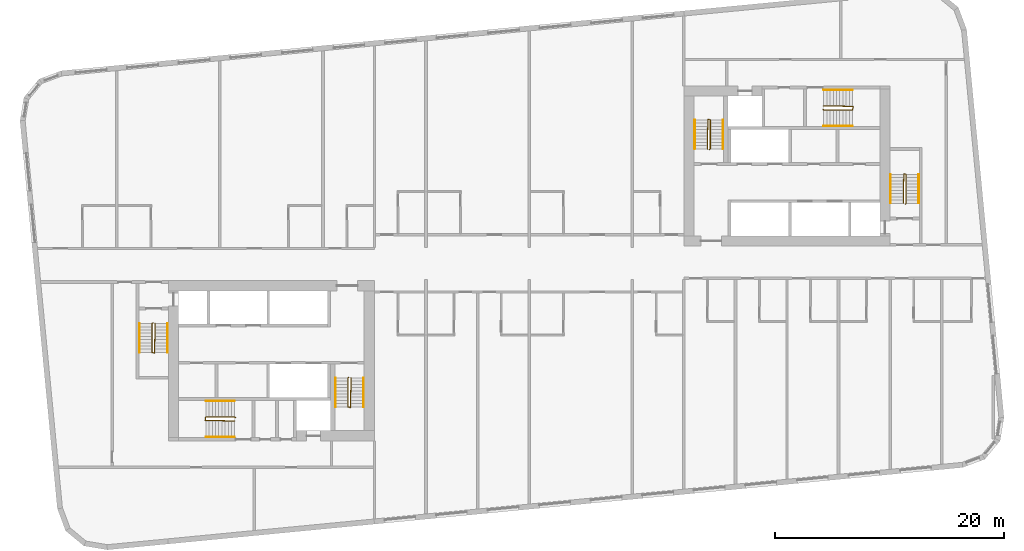
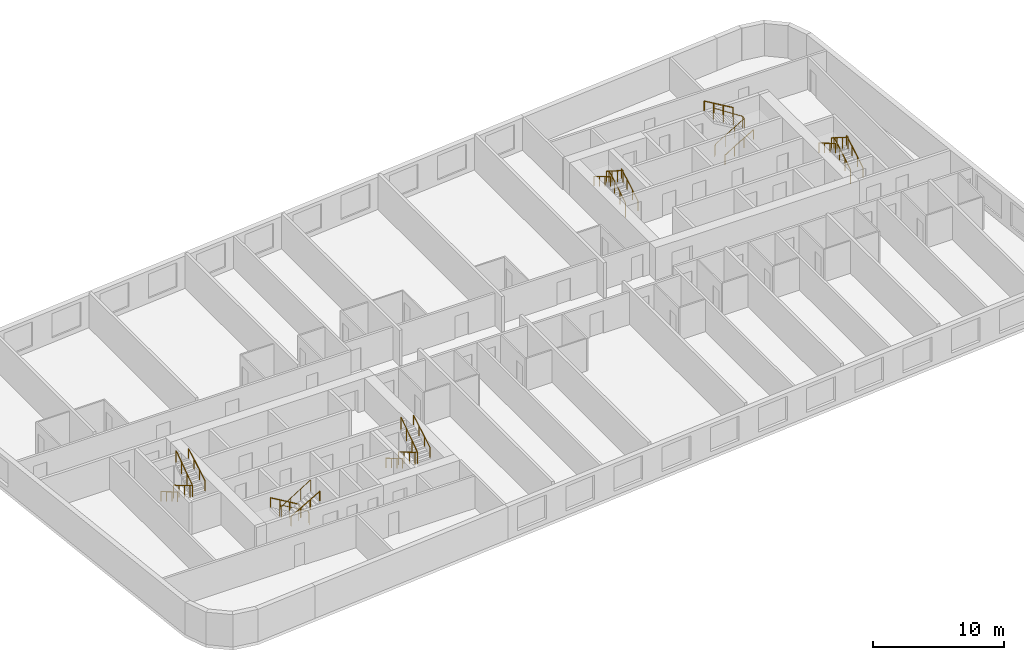
# One storey, part 12 of 12: 18 railings.
"""IFC4 building model written with IfcOpenShell, lengths in metres."""

from ifc_helpers import new_model, si_unit, direction, frame, origin, origin_2d, place, context, subcontext, project, spatial, circle, extrude, material, type_object, element, save


model = new_model("IFC4")

# Units and contexts
model_context = context("Model", 3, precision=1e-05, world=origin(), true_north=direction((0.0, 1.0)))
body_context = subcontext(model_context, "Body", "Model", "MODEL_VIEW")
ifc_project = project(units=[si_unit("LENGTHUNIT", "METRE"), si_unit("AREAUNIT", "SQUARE_METRE"), si_unit("VOLUMEUNIT", "CUBIC_METRE"), si_unit("PLANEANGLEUNIT", "RADIAN"), si_unit("MASSUNIT", "GRAM", prefix="KILO")], contexts=[model_context])

# Site, building, storey
site_placement = place(None, origin())
site = spatial("IfcSite", under=ifc_project, at=site_placement, CompositionType="ELEMENT")
building_placement = place(site_placement, origin())
building = spatial("IfcBuilding", under=site, at=building_placement, Name="Kajstack Hotel Tower", CompositionType="ELEMENT")
storey_placement = place(building_placement, frame((0.0, 0.0, 190.0)))
storey = spatial("IfcBuildingStorey", under=building, at=storey_placement, Name="L45", CompositionType="ELEMENT", Elevation=190.0)

# Railings
ifc_material = material(Name="Steel S355J2", Category="steel")
railing_type_1 = type_object("IfcRailingType", Name="Stair guard 1100", PredefinedType="GUARDRAIL", material=ifc_material)
railing_1_placement = place(storey_placement, frame((-32.85009765625, -5.199951171875, 0.0)))
element("IfcRailing", 1, at=railing_1_placement, inside=storey, type_object=railing_type_1, Name="L45 W1 stair guard 1", PredefinedType="GUARDRAIL", context=body_context, shape_type="SweptSolid", body=[
    extrude(circle(Radius=0.02392578125, at=origin_2d()), frame((0.0, 0.0, 1.076171875), z_axis=(-0.277450376394, -0.278810427259, 0.919394384522), x_axis=(0.708833529934, -0.705375805398, 0.0)), (0.0, 0.0, 1.0), 0.179443359375),
    extrude(circle(Radius=0.02392578125, at=origin_2d()), frame((-0.0498046875, -0.050048828125, 1.2412109375), z_axis=(0.0, -0.861560626758, 0.507654692109), x_axis=(1.0, 0.0, 0.0)), (0.0, 0.0, 1.0), 2.925048828125),
    extrude(circle(Radius=0.02392578125, at=origin_2d()), frame((-0.0498046875, -2.570068359375, 2.72607421875), z_axis=(0.970072785993, -0.242814311512, 0.0), x_axis=(0.242814311512, 0.970072785993, 0.0)), (0.0, 0.0, 1.0), 0.2060546875),
    extrude(circle(Radius=0.02392578125, at=origin_2d()), frame((0.150146484375, -2.6201171875, 2.72607421875), z_axis=(0.016384601254, 0.84136925563, 0.540212292087), x_axis=(-0.999810440751, 0.019470042781, 0.0)), (0.0, 0.0, 1.0), 3.0546875),
    extrude(circle(Radius=0.02099609375, at=origin_2d()), origin(), (0.0, 0.0, 1.0), 1.052001953125),
    extrude(circle(Radius=0.02099609375, at=origin_2d()), frame((-0.0498046875, -0.050048828125, 0.1650390625)), (0.0, 0.0, 1.0), 1.052001953125),
    extrude(circle(Radius=0.02099609375, at=origin_2d()), frame((-0.0498046875, -0.89013671875, 0.659912109375)), (0.0, 0.0, 1.0), 1.052001953125),
    extrude(circle(Radius=0.02099609375, at=origin_2d()), frame((-0.0498046875, -1.72998046875, 1.155029296875)), (0.0, 0.0, 1.0), 1.052001953125),
    extrude(circle(Radius=0.02099609375, at=origin_2d()), frame((-0.0498046875, -2.570068359375, 1.64990234375)), (0.0, 0.0, 1.0), 1.052001953125),
    extrude(circle(Radius=0.02099609375, at=origin_2d()), frame((0.150146484375, -2.6201171875, 1.64990234375)), (0.0, 0.0, 1.0), 1.052001953125),
    extrude(circle(Radius=0.02099609375, at=origin_2d()), frame((0.166748046875, -1.763427734375, 2.199951171875)), (0.0, 0.0, 1.0), 1.052001953125),
    extrude(circle(Radius=0.02099609375, at=origin_2d()), frame((0.18359375, -0.90673828125, 2.75)), (0.0, 0.0, 1.0), 1.052001953125),
    extrude(circle(Radius=0.02099609375, at=origin_2d()), frame((0.2001953125, -0.050048828125, 3.300048828125)), (0.0, 0.0, 1.0), 1.052001953125),
])
railing_2_placement = place(storey_placement, frame((-15.75, -9.949951171875, 0.0)))
element("IfcRailing", 2, at=railing_2_placement, inside=storey, type_object=railing_type_1, Name="L45 W2 stair guard 1", PredefinedType="GUARDRAIL", context=body_context, shape_type="SweptSolid", body=[
    extrude(circle(Radius=0.02392578125, at=origin_2d()), frame((0.0, 0.0, 1.076171875), z_axis=(-0.278705021027, -0.278705021027, 0.919046801044), x_axis=(0.707106781187, -0.707106781187, 0.0)), (0.0, 0.0, 1.0), 0.1796875),
    extrude(circle(Radius=0.02392578125, at=origin_2d()), frame((-0.050048828125, -0.050048828125, 1.2412109375), z_axis=(0.0, -0.861560626758, 0.507654692109), x_axis=(1.0, 0.0, 0.0)), (0.0, 0.0, 1.0), 2.925048828125),
    extrude(circle(Radius=0.02392578125, at=origin_2d()), frame((-0.050048828125, -2.570068359375, 2.72607421875), z_axis=(0.970072785993, -0.242814311512, 0.0), x_axis=(0.242814311512, 0.970072785993, 0.0)), (0.0, 0.0, 1.0), 0.2060546875),
    extrude(circle(Radius=0.02392578125, at=origin_2d()), frame((0.14990234375, -2.6201171875, 2.72607421875), z_axis=(0.016384601254, 0.84136925563, 0.540212292087), x_axis=(-0.999810440751, 0.019470042781, 0.0)), (0.0, 0.0, 1.0), 3.0546875),
    extrude(circle(Radius=0.02099609375, at=origin_2d()), origin(), (0.0, 0.0, 1.0), 1.052001953125),
    extrude(circle(Radius=0.02099609375, at=origin_2d()), frame((-0.050048828125, -0.050048828125, 0.1650390625)), (0.0, 0.0, 1.0), 1.052001953125),
    extrude(circle(Radius=0.02099609375, at=origin_2d()), frame((-0.050048828125, -0.89013671875, 0.659912109375)), (0.0, 0.0, 1.0), 1.052001953125),
    extrude(circle(Radius=0.02099609375, at=origin_2d()), frame((-0.050048828125, -1.72998046875, 1.155029296875)), (0.0, 0.0, 1.0), 1.052001953125),
    extrude(circle(Radius=0.02099609375, at=origin_2d()), frame((-0.050048828125, -2.570068359375, 1.64990234375)), (0.0, 0.0, 1.0), 1.052001953125),
    extrude(circle(Radius=0.02099609375, at=origin_2d()), frame((0.14990234375, -2.6201171875, 1.64990234375)), (0.0, 0.0, 1.0), 1.052001953125),
    extrude(circle(Radius=0.02099609375, at=origin_2d()), frame((0.16650390625, -1.763427734375, 2.199951171875)), (0.0, 0.0, 1.0), 1.052001953125),
    extrude(circle(Radius=0.02099609375, at=origin_2d()), frame((0.183349609375, -0.90673828125, 2.75)), (0.0, 0.0, 1.0), 1.052001953125),
    extrude(circle(Radius=0.02099609375, at=origin_2d()), frame((0.199951171875, -0.050048828125, 3.300048828125)), (0.0, 0.0, 1.0), 1.052001953125),
])
railing_3_placement = place(storey_placement, frame((-25.64990234375, -13.449951171875, 0.0)))
element("IfcRailing", 3, at=railing_3_placement, inside=storey, type_object=railing_type_1, Name="L45 W3 stair guard 1", PredefinedType="GUARDRAIL", context=body_context, shape_type="SweptSolid", body=[
    extrude(circle(Radius=0.02392578125, at=origin_2d()), frame((0.0, 0.0, 1.076171875), z_axis=(-0.278705021027, 0.278705021027, 0.919046801044), x_axis=(-0.707106781187, -0.707106781187, 0.0)), (0.0, 0.0, 1.0), 0.1796875),
    extrude(circle(Radius=0.02392578125, at=origin_2d()), frame((-0.050048828125, 0.050048828125, 1.2412109375), z_axis=(-0.861560626758, 0.0, 0.507654692109), x_axis=(0.0, -1.0, 0.0)), (0.0, 0.0, 1.0), 2.925048828125),
    extrude(circle(Radius=0.02392578125, at=origin_2d()), frame((-2.570068359375, 0.050048828125, 2.72607421875), z_axis=(-0.164529134168, -0.986372223864, 0.0), x_axis=(0.986372223864, -0.164529134168, 0.0)), (0.0, 0.0, 1.0), 0.30419921875),
    extrude(circle(Radius=0.02392578125, at=origin_2d()), frame((-2.6201171875, -0.25, 2.72607421875), z_axis=(0.84136925563, -0.016384601254, 0.540212292087), x_axis=(0.019470042781, 0.999810440751, 0.0)), (0.0, 0.0, 1.0), 3.0546875),
    extrude(circle(Radius=0.02099609375, at=origin_2d()), origin(), (0.0, 0.0, 1.0), 1.052001953125),
    extrude(circle(Radius=0.02099609375, at=origin_2d()), frame((-0.050048828125, 0.050048828125, 0.1650390625)), (0.0, 0.0, 1.0), 1.052001953125),
    extrude(circle(Radius=0.02099609375, at=origin_2d()), frame((-0.89013671875, 0.050048828125, 0.659912109375)), (0.0, 0.0, 1.0), 1.052001953125),
    extrude(circle(Radius=0.02099609375, at=origin_2d()), frame((-1.72998046875, 0.050048828125, 1.155029296875)), (0.0, 0.0, 1.0), 1.052001953125),
    extrude(circle(Radius=0.02099609375, at=origin_2d()), frame((-2.570068359375, 0.050048828125, 1.64990234375)), (0.0, 0.0, 1.0), 1.052001953125),
    extrude(circle(Radius=0.02099609375, at=origin_2d()), frame((-2.6201171875, -0.25, 1.64990234375)), (0.0, 0.0, 1.0), 1.052001953125),
    extrude(circle(Radius=0.02099609375, at=origin_2d()), frame((-1.763427734375, -0.2666015625, 2.199951171875)), (0.0, 0.0, 1.0), 1.052001953125),
    extrude(circle(Radius=0.02099609375, at=origin_2d()), frame((-0.90673828125, -0.283447265625, 2.75)), (0.0, 0.0, 1.0), 1.052001953125),
    extrude(circle(Radius=0.02099609375, at=origin_2d()), frame((-0.050048828125, -0.300048828125, 3.300048828125)), (0.0, 0.0, 1.0), 1.052001953125),
])
railing_4_placement = place(storey_placement, frame((32.85009765625, 5.199951171875, 0.0)))
element("IfcRailing", 4, at=railing_4_placement, inside=storey, type_object=railing_type_1, Name="L45 E1 stair guard 1", PredefinedType="GUARDRAIL", context=body_context, shape_type="SweptSolid", body=[
    extrude(circle(Radius=0.02392578125, at=origin_2d()), frame((0.0, 0.0, 1.076171875), z_axis=(0.277450376394, 0.278810427259, 0.919394384522), x_axis=(-0.708833529934, 0.705375805398, 0.0)), (0.0, 0.0, 1.0), 0.179443359375),
    extrude(circle(Radius=0.02392578125, at=origin_2d()), frame((0.0498046875, 0.050048828125, 1.2412109375), z_axis=(0.0, 0.861560626758, 0.507654692109), x_axis=(-1.0, 0.0, 0.0)), (0.0, 0.0, 1.0), 2.925048828125),
    extrude(circle(Radius=0.02392578125, at=origin_2d()), frame((0.0498046875, 2.570068359375, 2.72607421875), z_axis=(-0.970072785993, 0.242814311512, 0.0), x_axis=(-0.242814311512, -0.970072785993, 0.0)), (0.0, 0.0, 1.0), 0.2060546875),
    extrude(circle(Radius=0.02392578125, at=origin_2d()), frame((-0.150146484375, 2.6201171875, 2.72607421875), z_axis=(-0.016384601254, -0.84136925563, 0.540212292087), x_axis=(0.999810440751, -0.019470042781, 0.0)), (0.0, 0.0, 1.0), 3.0546875),
    extrude(circle(Radius=0.02099609375, at=origin_2d()), origin(), (0.0, 0.0, 1.0), 1.052001953125),
    extrude(circle(Radius=0.02099609375, at=origin_2d()), frame((0.0498046875, 0.050048828125, 0.1650390625)), (0.0, 0.0, 1.0), 1.052001953125),
    extrude(circle(Radius=0.02099609375, at=origin_2d()), frame((0.0498046875, 0.89013671875, 0.659912109375)), (0.0, 0.0, 1.0), 1.052001953125),
    extrude(circle(Radius=0.02099609375, at=origin_2d()), frame((0.0498046875, 1.72998046875, 1.155029296875)), (0.0, 0.0, 1.0), 1.052001953125),
    extrude(circle(Radius=0.02099609375, at=origin_2d()), frame((0.0498046875, 2.570068359375, 1.64990234375)), (0.0, 0.0, 1.0), 1.052001953125),
    extrude(circle(Radius=0.02099609375, at=origin_2d()), frame((-0.150146484375, 2.6201171875, 1.64990234375)), (0.0, 0.0, 1.0), 1.052001953125),
    extrude(circle(Radius=0.02099609375, at=origin_2d()), frame((-0.166748046875, 1.763427734375, 2.199951171875)), (0.0, 0.0, 1.0), 1.052001953125),
    extrude(circle(Radius=0.02099609375, at=origin_2d()), frame((-0.18359375, 0.90673828125, 2.75)), (0.0, 0.0, 1.0), 1.052001953125),
    extrude(circle(Radius=0.02099609375, at=origin_2d()), frame((-0.2001953125, 0.050048828125, 3.300048828125)), (0.0, 0.0, 1.0), 1.052001953125),
])
railing_5_placement = place(storey_placement, frame((15.75, 9.949951171875, 0.0)))
element("IfcRailing", 5, at=railing_5_placement, inside=storey, type_object=railing_type_1, Name="L45 E2 stair guard 1", PredefinedType="GUARDRAIL", context=body_context, shape_type="SweptSolid", body=[
    extrude(circle(Radius=0.02392578125, at=origin_2d()), frame((0.0, 0.0, 1.076171875), z_axis=(0.278705021027, 0.278705021027, 0.919046801044), x_axis=(-0.707106781187, 0.707106781187, 0.0)), (0.0, 0.0, 1.0), 0.1796875),
    extrude(circle(Radius=0.02392578125, at=origin_2d()), frame((0.050048828125, 0.050048828125, 1.2412109375), z_axis=(0.0, 0.861560626758, 0.507654692109), x_axis=(-1.0, 0.0, 0.0)), (0.0, 0.0, 1.0), 2.925048828125),
    extrude(circle(Radius=0.02392578125, at=origin_2d()), frame((0.050048828125, 2.570068359375, 2.72607421875), z_axis=(-0.970072785993, 0.242814311512, 0.0), x_axis=(-0.242814311512, -0.970072785993, 0.0)), (0.0, 0.0, 1.0), 0.2060546875),
    extrude(circle(Radius=0.02392578125, at=origin_2d()), frame((-0.14990234375, 2.6201171875, 2.72607421875), z_axis=(-0.016384601254, -0.84136925563, 0.540212292087), x_axis=(0.999810440751, -0.019470042781, 0.0)), (0.0, 0.0, 1.0), 3.0546875),
    extrude(circle(Radius=0.02099609375, at=origin_2d()), origin(), (0.0, 0.0, 1.0), 1.052001953125),
    extrude(circle(Radius=0.02099609375, at=origin_2d()), frame((0.050048828125, 0.050048828125, 0.1650390625)), (0.0, 0.0, 1.0), 1.052001953125),
    extrude(circle(Radius=0.02099609375, at=origin_2d()), frame((0.050048828125, 0.89013671875, 0.659912109375)), (0.0, 0.0, 1.0), 1.052001953125),
    extrude(circle(Radius=0.02099609375, at=origin_2d()), frame((0.050048828125, 1.72998046875, 1.155029296875)), (0.0, 0.0, 1.0), 1.052001953125),
    extrude(circle(Radius=0.02099609375, at=origin_2d()), frame((0.050048828125, 2.570068359375, 1.64990234375)), (0.0, 0.0, 1.0), 1.052001953125),
    extrude(circle(Radius=0.02099609375, at=origin_2d()), frame((-0.14990234375, 2.6201171875, 1.64990234375)), (0.0, 0.0, 1.0), 1.052001953125),
    extrude(circle(Radius=0.02099609375, at=origin_2d()), frame((-0.16650390625, 1.763427734375, 2.199951171875)), (0.0, 0.0, 1.0), 1.052001953125),
    extrude(circle(Radius=0.02099609375, at=origin_2d()), frame((-0.183349609375, 0.90673828125, 2.75)), (0.0, 0.0, 1.0), 1.052001953125),
    extrude(circle(Radius=0.02099609375, at=origin_2d()), frame((-0.199951171875, 0.050048828125, 3.300048828125)), (0.0, 0.0, 1.0), 1.052001953125),
])
railing_6_placement = place(storey_placement, frame((25.64990234375, 13.449951171875, 0.0)))
element("IfcRailing", 6, at=railing_6_placement, inside=storey, type_object=railing_type_1, Name="L45 E3 stair guard 1", PredefinedType="GUARDRAIL", context=body_context, shape_type="SweptSolid", body=[
    extrude(circle(Radius=0.02392578125, at=origin_2d()), frame((0.0, 0.0, 1.076171875), z_axis=(0.278705021027, -0.278705021027, 0.919046801044), x_axis=(0.707106781187, 0.707106781187, 0.0)), (0.0, 0.0, 1.0), 0.1796875),
    extrude(circle(Radius=0.02392578125, at=origin_2d()), frame((0.050048828125, -0.050048828125, 1.2412109375), z_axis=(0.861560626758, 0.0, 0.507654692109), x_axis=(0.0, 1.0, 0.0)), (0.0, 0.0, 1.0), 2.925048828125),
    extrude(circle(Radius=0.02392578125, at=origin_2d()), frame((2.570068359375, -0.050048828125, 2.72607421875), z_axis=(0.164529134168, 0.986372223864, 0.0), x_axis=(-0.986372223864, 0.164529134168, 0.0)), (0.0, 0.0, 1.0), 0.30419921875),
    extrude(circle(Radius=0.02392578125, at=origin_2d()), frame((2.6201171875, 0.25, 2.72607421875), z_axis=(-0.84136925563, 0.016384601254, 0.540212292087), x_axis=(-0.019470042781, -0.999810440751, 0.0)), (0.0, 0.0, 1.0), 3.0546875),
    extrude(circle(Radius=0.02099609375, at=origin_2d()), origin(), (0.0, 0.0, 1.0), 1.052001953125),
    extrude(circle(Radius=0.02099609375, at=origin_2d()), frame((0.050048828125, -0.050048828125, 0.1650390625)), (0.0, 0.0, 1.0), 1.052001953125),
    extrude(circle(Radius=0.02099609375, at=origin_2d()), frame((0.89013671875, -0.050048828125, 0.659912109375)), (0.0, 0.0, 1.0), 1.052001953125),
    extrude(circle(Radius=0.02099609375, at=origin_2d()), frame((1.72998046875, -0.050048828125, 1.155029296875)), (0.0, 0.0, 1.0), 1.052001953125),
    extrude(circle(Radius=0.02099609375, at=origin_2d()), frame((2.570068359375, -0.050048828125, 1.64990234375)), (0.0, 0.0, 1.0), 1.052001953125),
    extrude(circle(Radius=0.02099609375, at=origin_2d()), frame((2.6201171875, 0.25, 1.64990234375)), (0.0, 0.0, 1.0), 1.052001953125),
    extrude(circle(Radius=0.02099609375, at=origin_2d()), frame((1.763427734375, 0.2666015625, 2.199951171875)), (0.0, 0.0, 1.0), 1.052001953125),
    extrude(circle(Radius=0.02099609375, at=origin_2d()), frame((0.90673828125, 0.283447265625, 2.75)), (0.0, 0.0, 1.0), 1.052001953125),
    extrude(circle(Radius=0.02099609375, at=origin_2d()), frame((0.050048828125, 0.300048828125, 3.300048828125)), (0.0, 0.0, 1.0), 1.052001953125),
])
railing_type_2 = type_object("IfcRailingType", Name="Stair handrail 900", PredefinedType="HANDRAIL", material=ifc_material)
railing_7_placement = place(storey_placement, frame((-34.0, -5.25, 0.1650390625)))
element("IfcRailing", 7, at=railing_7_placement, inside=storey, type_object=railing_type_2, Name="L45 W1 stair handrail 1", PredefinedType="HANDRAIL", context=body_context, shape_type="SweptSolid", body=[
    extrude(circle(Radius=0.02392578125, at=origin_2d()), frame((0.0, 0.0, 0.8759765625), z_axis=(0.0, -0.861560626758, 0.507654692109), x_axis=(1.0, 0.0, 0.0)), (0.0, 0.0, 1.0), 2.925048828125),
    extrude(circle(Radius=0.02099609375, at=origin_2d()), origin(), (0.0, 0.0, 1.0), 0.851806640625),
    extrude(circle(Radius=0.02099609375, at=origin_2d()), frame((0.0, -0.840087890625, 0.494873046875)), (0.0, 0.0, 1.0), 0.851806640625),
    extrude(circle(Radius=0.02099609375, at=origin_2d()), frame((0.0, -1.679931640625, 0.989990234375)), (0.0, 0.0, 1.0), 0.851806640625),
    extrude(circle(Radius=0.02099609375, at=origin_2d()), frame((0.0, -2.52001953125, 1.48486328125)), (0.0, 0.0, 1.0), 0.851806640625),
])
railing_8_placement = place(storey_placement, frame((-31.550048828125, -7.77001953125, 1.81494140625)))
element("IfcRailing", 8, at=railing_8_placement, inside=storey, type_object=railing_type_2, Name="L45 W1 stair handrail 2", PredefinedType="HANDRAIL", context=body_context, shape_type="SweptSolid", body=[
    extrude(circle(Radius=0.02392578125, at=origin_2d()), frame((0.0, 0.0, 0.8759765625), z_axis=(0.0, 0.86152411907, 0.507716645641), x_axis=(-1.0, 0.0, 0.0)), (0.0, 0.0, 1.0), 2.925048828125),
    extrude(circle(Radius=0.02099609375, at=origin_2d()), origin(), (0.0, 0.0, 1.0), 0.851806640625),
    extrude(circle(Radius=0.02099609375, at=origin_2d()), frame((0.0, 0.840087890625, 0.4951171875)), (0.0, 0.0, 1.0), 0.851806640625),
    extrude(circle(Radius=0.02099609375, at=origin_2d()), frame((0.0, 1.679931640625, 0.989990234375)), (0.0, 0.0, 1.0), 0.851806640625),
    extrude(circle(Radius=0.02099609375, at=origin_2d()), frame((0.0, 2.52001953125, 1.485107421875)), (0.0, 0.0, 1.0), 0.851806640625),
])
railing_9_placement = place(storey_placement, frame((-16.89990234375, -10.0, 0.1650390625)))
element("IfcRailing", 9, at=railing_9_placement, inside=storey, type_object=railing_type_2, Name="L45 W2 stair handrail 1", PredefinedType="HANDRAIL", context=body_context, shape_type="SweptSolid", body=[
    extrude(circle(Radius=0.02392578125, at=origin_2d()), frame((0.0, 0.0, 0.8759765625), z_axis=(0.0, -0.861560626758, 0.507654692109), x_axis=(1.0, 0.0, 0.0)), (0.0, 0.0, 1.0), 2.925048828125),
    extrude(circle(Radius=0.02099609375, at=origin_2d()), origin(), (0.0, 0.0, 1.0), 0.851806640625),
    extrude(circle(Radius=0.02099609375, at=origin_2d()), frame((0.0, -0.840087890625, 0.494873046875)), (0.0, 0.0, 1.0), 0.851806640625),
    extrude(circle(Radius=0.02099609375, at=origin_2d()), frame((0.0, -1.679931640625, 0.989990234375)), (0.0, 0.0, 1.0), 0.851806640625),
    extrude(circle(Radius=0.02099609375, at=origin_2d()), frame((0.0, -2.52001953125, 1.48486328125)), (0.0, 0.0, 1.0), 0.851806640625),
])
railing_10_placement = place(storey_placement, frame((-14.449951171875, -12.52001953125, 1.81494140625)))
element("IfcRailing", 10, at=railing_10_placement, inside=storey, type_object=railing_type_2, Name="L45 W2 stair handrail 2", PredefinedType="HANDRAIL", context=body_context, shape_type="SweptSolid", body=[
    extrude(circle(Radius=0.02392578125, at=origin_2d()), frame((0.0, 0.0, 0.8759765625), z_axis=(0.0, 0.86152411907, 0.507716645641), x_axis=(-1.0, 0.0, 0.0)), (0.0, 0.0, 1.0), 2.925048828125),
    extrude(circle(Radius=0.02099609375, at=origin_2d()), origin(), (0.0, 0.0, 1.0), 0.851806640625),
    extrude(circle(Radius=0.02099609375, at=origin_2d()), frame((0.0, 0.840087890625, 0.4951171875)), (0.0, 0.0, 1.0), 0.851806640625),
    extrude(circle(Radius=0.02099609375, at=origin_2d()), frame((0.0, 1.679931640625, 0.989990234375)), (0.0, 0.0, 1.0), 0.851806640625),
    extrude(circle(Radius=0.02099609375, at=origin_2d()), frame((0.0, 2.52001953125, 1.485107421875)), (0.0, 0.0, 1.0), 0.851806640625),
])
railing_11_placement = place(storey_placement, frame((-25.699951171875, -12.0, 0.1650390625)))
element("IfcRailing", 11, at=railing_11_placement, inside=storey, type_object=railing_type_2, Name="L45 W3 stair handrail 1", PredefinedType="HANDRAIL", context=body_context, shape_type="SweptSolid", body=[
    extrude(circle(Radius=0.02392578125, at=origin_2d()), frame((0.0, 0.0, 0.8759765625), z_axis=(-0.861560626758, 0.0, 0.507654692109), x_axis=(0.0, -1.0, 0.0)), (0.0, 0.0, 1.0), 2.925048828125),
    extrude(circle(Radius=0.02099609375, at=origin_2d()), origin(), (0.0, 0.0, 1.0), 0.851806640625),
    extrude(circle(Radius=0.02099609375, at=origin_2d()), frame((-0.840087890625, 0.0, 0.494873046875)), (0.0, 0.0, 1.0), 0.851806640625),
    extrude(circle(Radius=0.02099609375, at=origin_2d()), frame((-1.679931640625, 0.0, 0.989990234375)), (0.0, 0.0, 1.0), 0.851806640625),
    extrude(circle(Radius=0.02099609375, at=origin_2d()), frame((-2.52001953125, 0.0, 1.48486328125)), (0.0, 0.0, 1.0), 0.851806640625),
])
railing_12_placement = place(storey_placement, frame((-28.219970703125, -15.14990234375, 1.81494140625)))
element("IfcRailing", 12, at=railing_12_placement, inside=storey, type_object=railing_type_2, Name="L45 W3 stair handrail 2", PredefinedType="HANDRAIL", context=body_context, shape_type="SweptSolid", body=[
    extrude(circle(Radius=0.02392578125, at=origin_2d()), frame((0.0, 0.0, 0.8759765625), z_axis=(0.86152411907, 0.0, 0.507716645641), x_axis=(0.0, 1.0, 0.0)), (0.0, 0.0, 1.0), 2.925048828125),
    extrude(circle(Radius=0.02099609375, at=origin_2d()), origin(), (0.0, 0.0, 1.0), 0.851806640625),
    extrude(circle(Radius=0.02099609375, at=origin_2d()), frame((0.840087890625, 0.0, 0.4951171875)), (0.0, 0.0, 1.0), 0.851806640625),
    extrude(circle(Radius=0.02099609375, at=origin_2d()), frame((1.679931640625, 0.0, 0.989990234375)), (0.0, 0.0, 1.0), 0.851806640625),
    extrude(circle(Radius=0.02099609375, at=origin_2d()), frame((2.52001953125, 0.0, 1.485107421875)), (0.0, 0.0, 1.0), 0.851806640625),
])
railing_13_placement = place(storey_placement, frame((34.0, 5.25, 0.1650390625)))
element("IfcRailing", 13, at=railing_13_placement, inside=storey, type_object=railing_type_2, Name="L45 E1 stair handrail 1", PredefinedType="HANDRAIL", context=body_context, shape_type="SweptSolid", body=[
    extrude(circle(Radius=0.02392578125, at=origin_2d()), frame((0.0, 0.0, 0.8759765625), z_axis=(0.0, 0.861560626758, 0.507654692109), x_axis=(-1.0, 0.0, 0.0)), (0.0, 0.0, 1.0), 2.925048828125),
    extrude(circle(Radius=0.02099609375, at=origin_2d()), origin(), (0.0, 0.0, 1.0), 0.851806640625),
    extrude(circle(Radius=0.02099609375, at=origin_2d()), frame((0.0, 0.840087890625, 0.494873046875)), (0.0, 0.0, 1.0), 0.851806640625),
    extrude(circle(Radius=0.02099609375, at=origin_2d()), frame((0.0, 1.679931640625, 0.989990234375)), (0.0, 0.0, 1.0), 0.851806640625),
    extrude(circle(Radius=0.02099609375, at=origin_2d()), frame((0.0, 2.52001953125, 1.48486328125)), (0.0, 0.0, 1.0), 0.851806640625),
])
railing_14_placement = place(storey_placement, frame((31.550048828125, 7.77001953125, 1.81494140625)))
element("IfcRailing", 14, at=railing_14_placement, inside=storey, type_object=railing_type_2, Name="L45 E1 stair handrail 2", PredefinedType="HANDRAIL", context=body_context, shape_type="SweptSolid", body=[
    extrude(circle(Radius=0.02392578125, at=origin_2d()), frame((0.0, 0.0, 0.8759765625), z_axis=(0.0, -0.86152411907, 0.507716645641), x_axis=(1.0, 0.0, 0.0)), (0.0, 0.0, 1.0), 2.925048828125),
    extrude(circle(Radius=0.02099609375, at=origin_2d()), origin(), (0.0, 0.0, 1.0), 0.851806640625),
    extrude(circle(Radius=0.02099609375, at=origin_2d()), frame((0.0, -0.840087890625, 0.4951171875)), (0.0, 0.0, 1.0), 0.851806640625),
    extrude(circle(Radius=0.02099609375, at=origin_2d()), frame((0.0, -1.679931640625, 0.989990234375)), (0.0, 0.0, 1.0), 0.851806640625),
    extrude(circle(Radius=0.02099609375, at=origin_2d()), frame((0.0, -2.52001953125, 1.485107421875)), (0.0, 0.0, 1.0), 0.851806640625),
])
railing_15_placement = place(storey_placement, frame((16.89990234375, 10.0, 0.1650390625)))
element("IfcRailing", 15, at=railing_15_placement, inside=storey, type_object=railing_type_2, Name="L45 E2 stair handrail 1", PredefinedType="HANDRAIL", context=body_context, shape_type="SweptSolid", body=[
    extrude(circle(Radius=0.02392578125, at=origin_2d()), frame((0.0, 0.0, 0.8759765625), z_axis=(0.0, 0.861560626758, 0.507654692109), x_axis=(-1.0, 0.0, 0.0)), (0.0, 0.0, 1.0), 2.925048828125),
    extrude(circle(Radius=0.02099609375, at=origin_2d()), origin(), (0.0, 0.0, 1.0), 0.851806640625),
    extrude(circle(Radius=0.02099609375, at=origin_2d()), frame((0.0, 0.840087890625, 0.494873046875)), (0.0, 0.0, 1.0), 0.851806640625),
    extrude(circle(Radius=0.02099609375, at=origin_2d()), frame((0.0, 1.679931640625, 0.989990234375)), (0.0, 0.0, 1.0), 0.851806640625),
    extrude(circle(Radius=0.02099609375, at=origin_2d()), frame((0.0, 2.52001953125, 1.48486328125)), (0.0, 0.0, 1.0), 0.851806640625),
])
railing_16_placement = place(storey_placement, frame((14.449951171875, 12.52001953125, 1.81494140625)))
element("IfcRailing", 16, at=railing_16_placement, inside=storey, type_object=railing_type_2, Name="L45 E2 stair handrail 2", PredefinedType="HANDRAIL", context=body_context, shape_type="SweptSolid", body=[
    extrude(circle(Radius=0.02392578125, at=origin_2d()), frame((0.0, 0.0, 0.8759765625), z_axis=(0.0, -0.86152411907, 0.507716645641), x_axis=(1.0, 0.0, 0.0)), (0.0, 0.0, 1.0), 2.925048828125),
    extrude(circle(Radius=0.02099609375, at=origin_2d()), origin(), (0.0, 0.0, 1.0), 0.851806640625),
    extrude(circle(Radius=0.02099609375, at=origin_2d()), frame((0.0, -0.840087890625, 0.4951171875)), (0.0, 0.0, 1.0), 0.851806640625),
    extrude(circle(Radius=0.02099609375, at=origin_2d()), frame((0.0, -1.679931640625, 0.989990234375)), (0.0, 0.0, 1.0), 0.851806640625),
    extrude(circle(Radius=0.02099609375, at=origin_2d()), frame((0.0, -2.52001953125, 1.485107421875)), (0.0, 0.0, 1.0), 0.851806640625),
])
railing_17_placement = place(storey_placement, frame((25.699951171875, 12.0, 0.1650390625)))
element("IfcRailing", 17, at=railing_17_placement, inside=storey, type_object=railing_type_2, Name="L45 E3 stair handrail 1", PredefinedType="HANDRAIL", context=body_context, shape_type="SweptSolid", body=[
    extrude(circle(Radius=0.02392578125, at=origin_2d()), frame((0.0, 0.0, 0.8759765625), z_axis=(0.861560626758, 0.0, 0.507654692109), x_axis=(0.0, 1.0, 0.0)), (0.0, 0.0, 1.0), 2.925048828125),
    extrude(circle(Radius=0.02099609375, at=origin_2d()), origin(), (0.0, 0.0, 1.0), 0.851806640625),
    extrude(circle(Radius=0.02099609375, at=origin_2d()), frame((0.840087890625, 0.0, 0.494873046875)), (0.0, 0.0, 1.0), 0.851806640625),
    extrude(circle(Radius=0.02099609375, at=origin_2d()), frame((1.679931640625, 0.0, 0.989990234375)), (0.0, 0.0, 1.0), 0.851806640625),
    extrude(circle(Radius=0.02099609375, at=origin_2d()), frame((2.52001953125, 0.0, 1.48486328125)), (0.0, 0.0, 1.0), 0.851806640625),
])
railing_18_placement = place(storey_placement, frame((28.219970703125, 15.14990234375, 1.81494140625)))
element("IfcRailing", 18, at=railing_18_placement, inside=storey, type_object=railing_type_2, Name="L45 E3 stair handrail 2", PredefinedType="HANDRAIL", context=body_context, shape_type="SweptSolid", body=[
    extrude(circle(Radius=0.02392578125, at=origin_2d()), frame((0.0, 0.0, 0.8759765625), z_axis=(-0.86152411907, 0.0, 0.507716645641), x_axis=(0.0, -1.0, 0.0)), (0.0, 0.0, 1.0), 2.925048828125),
    extrude(circle(Radius=0.02099609375, at=origin_2d()), origin(), (0.0, 0.0, 1.0), 0.851806640625),
    extrude(circle(Radius=0.02099609375, at=origin_2d()), frame((-0.840087890625, 0.0, 0.4951171875)), (0.0, 0.0, 1.0), 0.851806640625),
    extrude(circle(Radius=0.02099609375, at=origin_2d()), frame((-1.679931640625, 0.0, 0.989990234375)), (0.0, 0.0, 1.0), 0.851806640625),
    extrude(circle(Radius=0.02099609375, at=origin_2d()), frame((-2.52001953125, 0.0, 1.485107421875)), (0.0, 0.0, 1.0), 0.851806640625),
])

save(model, "model.ifc")
